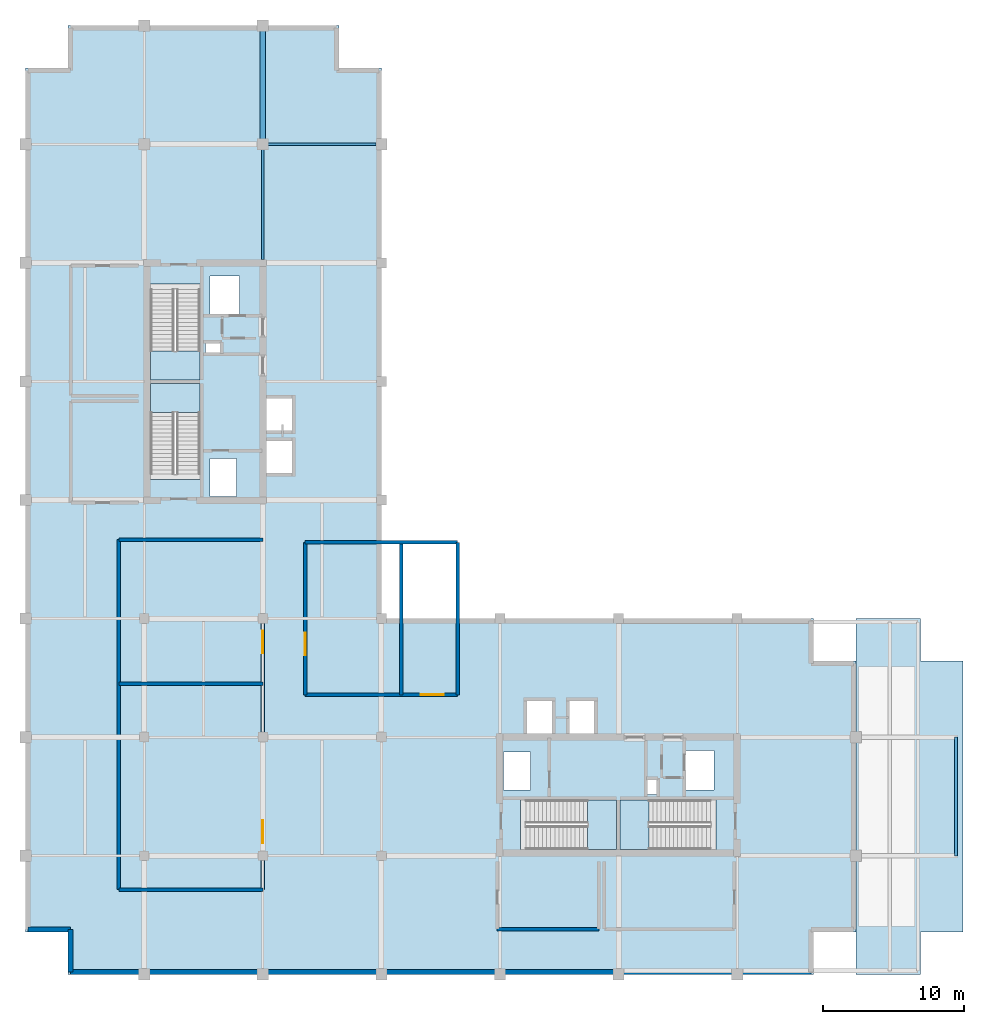
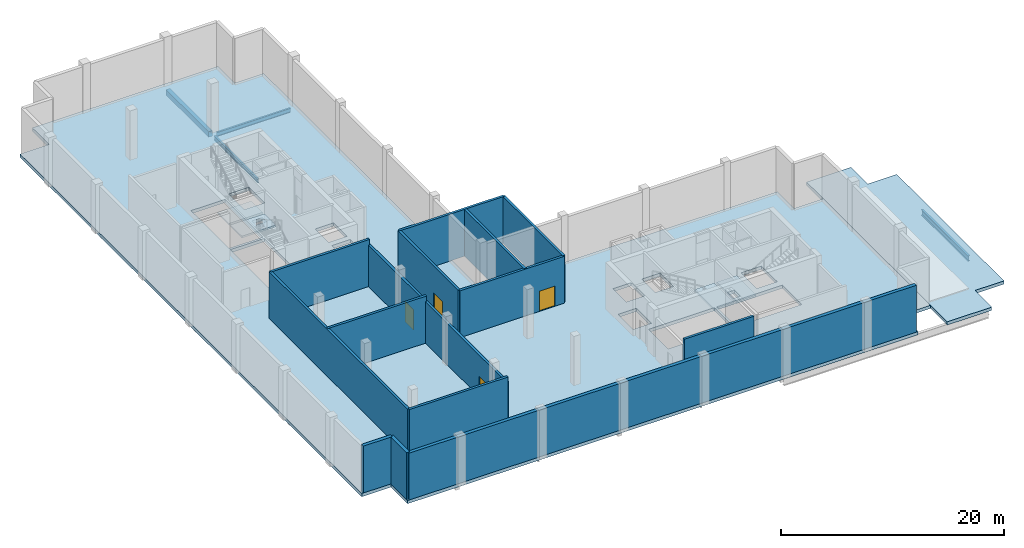
# One storey, part 2 of 7: 14 walls, 6 slabs, 4 beams, 4 doors, 4 openings, 4 elements without a shape of their own.
"""IFC4 building model written with IfcOpenShell, lengths in metres."""

from ifc_helpers import new_model, si_unit, direction, frame, frame_2d, origin, origin_2d, place, context, subcontext, project, spatial, polyline, rectangle, i_section, outline, extrude, material, layer, layer_set, material_profile, profile_set, type_object, element, fill, aggregate, save


model = new_model("IFC4")

# Units and contexts
model_context = context("Model", 3, precision=1e-05, world=origin(), true_north=direction((0.0, 1.0)))
body_context = subcontext(model_context, "Body", "Model", "MODEL_VIEW")
ifc_project = project(units=[si_unit("LENGTHUNIT", "METRE"), si_unit("AREAUNIT", "SQUARE_METRE"), si_unit("VOLUMEUNIT", "CUBIC_METRE"), si_unit("PLANEANGLEUNIT", "RADIAN"), si_unit("MASSUNIT", "GRAM", prefix="KILO")], contexts=[model_context])

# Site, building, storey
site_placement = place(None, origin())
site = spatial("IfcSite", under=ifc_project, at=site_placement, CompositionType="ELEMENT")
building_placement = place(site_placement, origin())
building = spatial("IfcBuilding", under=site, at=building_placement, Name="Koriwani Terraces Tower", CompositionType="ELEMENT")
storey_placement = place(building_placement, frame((0.0, 0.0, 368.60009765625)))
storey = spatial("IfcBuildingStorey", under=building, at=storey_placement, Name="L91", CompositionType="ELEMENT", Elevation=368.60009765625)

# Beams
ifc_material_1 = material(Name="Concrete C40/50", Category="concrete")
ifc_material_profile_1 = material_profile(ifc_material_1, rectangle(XDim=0.39990234375, YDim=0.60009765625, at=origin_2d()), Name="Concrete C40/50", Category="LoadBearing")
ifc_profile_set_1 = profile_set([ifc_material_profile_1], Name="Concrete C40/50")
beam_type_1 = type_object("IfcBeamType", Name="BEAM_RC_GRID_400X600", PredefinedType="BEAM", material=ifc_profile_set_1)
beam_1_placement = place(storey_placement, frame((25.199951171875, 67.580078125, -0.650146484375), z_axis=(0.0, 1.0, 0.0), x_axis=(-1.0, 0.0, 0.0)))
element("IfcBeam", 1, at=beam_1_placement, inside=storey, type_object=beam_type_1, Name="L91 Grid Beam 4 (67.2-75.6m)", PredefinedType="BEAM", context=body_context, shape_type="SweptSolid", body=[
    extrude(rectangle(XDim=0.39990234375, YDim=0.60009765625, at=origin_2d()), origin(), (0.0, 0.0, 1.0), 7.639892578125),
])
ifc_material_2 = material(Name="Steel ASTM A572 Grade 50", Category="steel")
ifc_material_profile_2 = material_profile(ifc_material_2, i_section(OverallWidth=0.19189453125, OverallDepth=0.462890625, WebThickness=0.010498046875, FlangeThickness=0.01611328125, at=origin_2d()), Name="Steel ASTM A572 Grade 50", Category="LoadBearing")
ifc_profile_set_2 = profile_set([ifc_material_profile_2], Name="Steel ASTM A572 Grade 50")
beam_type_2 = type_object("IfcBeamType", Name="STEEL_BEAM_W460X89", PredefinedType="BEAM", material=ifc_profile_set_2)
beam_2_placement = place(storey_placement, frame((25.580078125, 67.199951171875, -0.58154296875), z_axis=(1.0, 0.0, 0.0), x_axis=(0.0, 1.0, 0.0)))
element("IfcBeam", 2, at=beam_2_placement, inside=storey, type_object=beam_type_2, Name="L91 Grid Beam I (25.2-33.6m)", PredefinedType="BEAM", context=body_context, shape_type="SweptSolid", body=[
    extrude(i_section(OverallWidth=0.19189453125, OverallDepth=0.462890625, WebThickness=0.010498046875, FlangeThickness=0.01611328125, at=origin_2d()), origin(), (0.0, 0.0, 1.0), 7.639892578125),
])
beam_3_placement = place(storey_placement, frame((25.199951171875, 59.030029296875, -0.58154296875), z_axis=(0.0, 1.0, 0.0), x_axis=(-1.0, 0.0, 0.0)))
element("IfcBeam", 3, at=beam_3_placement, inside=storey, type_object=beam_type_2, Name="L91 Grid Beam 4 (58.8-67.2m)", PredefinedType="BEAM", context=body_context, shape_type="SweptSolid", body=[
    extrude(i_section(OverallWidth=0.19189453125, OverallDepth=0.462890625, WebThickness=0.010498046875, FlangeThickness=0.01611328125, at=origin_2d()), origin(), (0.0, 0.0, 1.0), 7.7900390625),
])
ifc_material_profile_3 = material_profile(ifc_material_2, i_section(OverallWidth=0.22900390625, OverallDepth=0.611083984375, WebThickness=0.0126953125, FlangeThickness=0.022216796875, at=origin_2d()), Name="Steel ASTM A572 Grade 50", Category="LoadBearing")
ifc_profile_set_3 = profile_set([ifc_material_profile_3], Name="Steel ASTM A572 Grade 50")
beam_type_3 = type_object("IfcBeamType", Name="STEEL_BEAM_W610X155", PredefinedType="BEAM", material=ifc_profile_set_3)
beam_4_placement = place(storey_placement, frame((74.300048828125, 16.800048828125, -0.655517578125), z_axis=(0.0, 1.0, 0.0), x_axis=(-1.0, 0.0, 0.0)))
element("IfcBeam", 4, at=beam_4_placement, inside=storey, type_object=beam_type_3, Name="L90 Sky-Lounge Cantilever Transverse Roof Beam X=74.3m", PredefinedType="BEAM", context=body_context, shape_type="SweptSolid", body=[
    extrude(i_section(OverallWidth=0.22900390625, OverallDepth=0.611083984375, WebThickness=0.0126953125, FlangeThickness=0.022216796875, at=origin_2d()), origin(), (0.0, 0.0, 1.0), 8.39990234375),
])

# Slabs
ifc_material_3 = material(Name="Concrete C50/60", Category="concrete")
ifc_layer_1 = layer(ifc_material_3, 0.35009765625, Name="Concrete C50/60")
ifc_layer_set_1 = layer_set([ifc_layer_1], Name="Concrete C50/60")
slab_type_1 = type_object("IfcSlabType", Name="SLAB_PODIUM_350", PredefinedType="FLOOR", material=ifc_layer_set_1)
slab_1_placement = place(storey_placement, frame((0.0, 0.0, -0.35009765625)))
element("IfcSlab", 5, at=slab_1_placement, inside=storey, type_object=slab_type_1, Name="L91 Structural Floor Slab", PredefinedType="FLOOR", context=body_context, shape_type="SweptSolid", body=[
    extrude(outline(polyline([(11.39990234375, 8.39990234375), (64.199951171875, 8.39990234375), (64.199951171875, 11.39990234375), (67.199951171875, 11.39990234375), (67.199951171875, 30.60009765625), (64.199951171875, 30.60009765625), (64.199951171875, 33.60009765625), (33.60009765625, 33.60009765625), (33.60009765625, 72.60009765625), (30.60009765625, 72.60009765625), (30.60009765625, 75.60009765625), (11.39990234375, 75.60009765625), (11.39990234375, 72.60009765625), (8.39990234375, 72.60009765625), (8.39990234375, 11.39990234375), (11.39990234375, 11.39990234375), (11.39990234375, 8.39990234375)]), holes=[polyline([(17.25, 43.4599609375), (20.75, 43.4599609375), (20.75, 50.25), (17.25, 50.25), (17.25, 43.4599609375)]), polyline([(17.25, 50.5), (20.75, 50.5), (20.75, 57.2900390625), (17.25, 57.2900390625), (17.25, 50.5)]), polyline([(43.4599609375, 17.25), (50.25, 17.25), (50.25, 20.75), (43.4599609375, 20.75), (43.4599609375, 17.25)]), polyline([(50.5, 17.25), (57.2900390625, 17.25), (57.2900390625, 20.75), (50.5, 20.75), (50.5, 17.25)]), polyline([(25.449951171875, 43.85009765625), (27.35009765625, 43.85009765625), (27.35009765625, 46.25), (25.449951171875, 46.25), (25.449951171875, 43.85009765625)]), polyline([(25.449951171875, 46.85009765625), (27.35009765625, 46.85009765625), (27.35009765625, 49.25), (25.449951171875, 49.25), (25.449951171875, 46.85009765625)]), polyline([(43.85009765625, 25.449951171875), (45.75, 25.449951171875), (45.75, 27.85009765625), (43.85009765625, 27.85009765625), (43.85009765625, 25.449951171875)]), polyline([(46.85009765625, 25.449951171875), (48.75, 25.449951171875), (48.75, 27.85009765625), (46.85009765625, 27.85009765625), (46.85009765625, 25.449951171875)]), polyline([(21.449951171875, 55.050048828125), (23.550048828125, 55.050048828125), (23.550048828125, 57.85009765625), (21.449951171875, 57.85009765625), (21.449951171875, 55.050048828125)]), polyline([(55.050048828125, 21.449951171875), (57.14990234375, 21.449951171875), (57.14990234375, 24.25), (55.050048828125, 24.25), (55.050048828125, 21.449951171875)]), polyline([(21.449951171875, 42.25), (23.35009765625, 42.25), (23.35009765625, 44.949951171875), (21.449951171875, 44.949951171875), (21.449951171875, 42.25)]), polyline([(42.25, 21.449951171875), (44.14990234375, 21.449951171875), (44.14990234375, 24.14990234375), (42.25, 24.14990234375), (42.25, 21.449951171875)]), polyline([(21.14990234375, 52.419921875), (22.219970703125, 52.419921875), (22.219970703125, 53.179931640625), (21.14990234375, 53.179931640625), (21.14990234375, 52.419921875)]), polyline([(52.419921875, 21.14990234375), (53.179931640625, 21.14990234375), (53.179931640625, 22.219970703125), (52.419921875, 22.219970703125), (52.419921875, 21.14990234375)])]), origin(), (0.0, 0.0, 1.0), 0.35009765625),
])
slab_2_placement = place(storey_placement, frame((0.0, 0.0, -0.35009765625)))
element("IfcSlab", 6, at=slab_2_placement, inside=storey, type_object=slab_type_1, Name="L90 Cantilevered Sky Lounge Flat Roof Slab", PredefinedType="FLOOR", context=body_context, shape_type="SweptSolid", body=[
    extrude(outline(polyline([(67.199951171875, 8.39990234375), (71.800048828125, 8.39990234375), (71.800048828125, 11.39990234375), (74.800048828125, 11.39990234375), (74.800048828125, 30.60009765625), (71.800048828125, 30.60009765625), (71.800048828125, 33.60009765625), (67.199951171875, 33.60009765625), (67.199951171875, 8.39990234375)])), origin(), (0.0, 0.0, 1.0), 0.35009765625),
])

# Stair, slab
stair_type = type_object("IfcStairType", Name="STAIR_CORE_DOGLEG_1650", PredefinedType="TWO_STRAIGHT_RUN_STAIR", material=ifc_material_1)
stair_1_placement = place(storey_placement, origin())
stair_1 = element("IfcStair", 7, at=stair_1_placement, inside=storey, type_object=stair_type, Name="L91 West Core Exit Stair 1", PredefinedType="HALF_TURN_STAIR")
ifc_layer_2 = layer(ifc_material_1, 0.199951171875, Name="Concrete C40/50")
ifc_layer_set_2 = layer_set([ifc_layer_2], Name="Concrete C40/50")
slab_type_2 = type_object("IfcSlabType", Name="SLAB_STAIR_LANDING_200", PredefinedType="LANDING", material=ifc_layer_set_2)
slab_3_placement = place(storey_placement, frame((0.0, 0.0, 2.5)))
slab_3 = element("IfcSlab", 8, at=slab_3_placement, type_object=slab_type_2, Name="ST-W1 landing 1", PredefinedType="LANDING", context=body_context, shape_type="SweptSolid", body=[
    extrude(outline(polyline([(20.75, 48.199951171875), (20.75, 50.25), (17.25, 50.25), (17.25, 48.199951171875), (20.75, 48.199951171875)])), origin(), (0.0, 0.0, 1.0), 0.199951171875),
])
aggregate(stair_1, [slab_3])

stair_2_placement = place(storey_placement, origin())
stair_2 = element("IfcStair", 9, at=stair_2_placement, inside=storey, type_object=stair_type, Name="L91 West Core Exit Stair 2", PredefinedType="HALF_TURN_STAIR")
slab_4_placement = place(storey_placement, frame((0.0, 0.0, 2.5)))
slab_4 = element("IfcSlab", 10, at=slab_4_placement, type_object=slab_type_2, Name="ST-W2 landing 1", PredefinedType="LANDING", context=body_context, shape_type="SweptSolid", body=[
    extrude(outline(polyline([(17.25, 52.550048828125), (17.25, 50.5), (20.75, 50.5), (20.75, 52.550048828125), (17.25, 52.550048828125)])), origin(), (0.0, 0.0, 1.0), 0.199951171875),
])
aggregate(stair_2, [slab_4])

stair_3_placement = place(storey_placement, origin())
stair_3 = element("IfcStair", 11, at=stair_3_placement, inside=storey, type_object=stair_type, Name="L91 East Core Exit Stair 1", PredefinedType="HALF_TURN_STAIR")
slab_5_placement = place(storey_placement, frame((0.0, 0.0, 2.5)))
slab_5 = element("IfcSlab", 12, at=slab_5_placement, type_object=slab_type_2, Name="ST-E1 landing 1", PredefinedType="LANDING", context=body_context, shape_type="SweptSolid", body=[
    extrude(outline(polyline([(48.199951171875, 17.25), (50.25, 17.25), (50.25, 20.75), (48.199951171875, 20.75), (48.199951171875, 17.25)])), origin(), (0.0, 0.0, 1.0), 0.199951171875),
])
aggregate(stair_3, [slab_5])

stair_4_placement = place(storey_placement, origin())
stair_4 = element("IfcStair", 13, at=stair_4_placement, inside=storey, type_object=stair_type, Name="L91 East Core Exit Stair 2", PredefinedType="HALF_TURN_STAIR")
slab_6_placement = place(storey_placement, frame((0.0, 0.0, 2.5)))
slab_6 = element("IfcSlab", 14, at=slab_6_placement, type_object=slab_type_2, Name="ST-E2 landing 1", PredefinedType="LANDING", context=body_context, shape_type="SweptSolid", body=[
    extrude(outline(polyline([(52.550048828125, 20.75), (50.5, 20.75), (50.5, 17.25), (52.550048828125, 17.25), (52.550048828125, 20.75)])), origin(), (0.0, 0.0, 1.0), 0.199951171875),
])
aggregate(stair_4, [slab_6])

# Walls
ifc_layer_3 = layer(ifc_material_3, 0.35009765625, Name="Concrete C50/60")
ifc_layer_set_3 = layer_set([ifc_layer_3], Name="Concrete C50/60")
wall_type_1 = type_object("IfcWallType", Name="WALL_EXT_BRUTALIST_350", PredefinedType="STANDARD", material=ifc_layer_set_3)
for number, where, z_axis, x_axis, name in (
    (15, (11.574951171875, 8.574951171875, 0.0), (0.0, 0.0, 1.0), (0.0, 1.0, 0.0), "L91 Fair-Faced Brutalist Exterior Wall (N0)"),
    (16, (11.574951171875, 11.574951171875, 0.0), (0.0, 0.0, 1.0), (-1.0, 0.0, 0.0), "L91 Fair-Faced Brutalist Exterior Wall (N1)"),
):
    element("IfcWall", number, at=place(storey_placement, frame(where, z_axis=z_axis, x_axis=x_axis)), inside=storey, type_object=wall_type_1, Name=name, PredefinedType="STANDARD", context=body_context, shape_type="SweptSolid", body=[
        extrude(rectangle(XDim=3.0, YDim=0.35009765625, at=frame_2d((1.5, 0.0))), origin(), (0.0, 0.0, 1.0), 5.119873046875),
    ])
wall_1_placement = place(storey_placement, frame((64.02490234375, 8.574951171875, 0.0), z_axis=(0.0, 0.0, 1.0), x_axis=(-1.0, 0.0, 0.0)))
element("IfcWall", 17, at=wall_1_placement, inside=storey, type_object=wall_type_1, Name="L91 Fair-Faced Brutalist Exterior Wall (S)", PredefinedType="STANDARD", context=body_context, shape_type="SweptSolid", body=[
    extrude(rectangle(XDim=52.449951171875, YDim=0.35009765625, at=frame_2d((26.22509765625, 0.0))), origin(), (0.0, 0.0, 1.0), 5.119873046875),
])

# Wall, openings, doors
ifc_layer_4 = layer(ifc_material_1, 0.25, Name="Concrete C40/50")
ifc_layer_set_4 = layer_set([ifc_layer_4], Name="Concrete C40/50")
wall_type_2 = type_object("IfcWallType", Name="WALL_SHAFT_RATED_250", PredefinedType="SOLIDWALL", material=ifc_layer_set_4)
wall_2_placement = place(storey_placement, frame((25.199951171875, 14.39990234375, 0.0), z_axis=(0.0, 0.0, 1.0), x_axis=(0.0, 1.0, 0.0)))
wall_2 = element("IfcWall", 18, at=wall_2_placement, inside=storey, type_object=wall_type_2, Name="L91 Interior Wall WPL-L91-E", PredefinedType="SOLIDWALL", context=body_context, shape_type="SweptSolid", body=[
    extrude(rectangle(XDim=24.800048828125, YDim=0.25, at=frame_2d((12.39990234375, 0.0))), origin(), (0.0, 0.0, 1.0), 4.52001953125),
])
opening_1_placement = place(wall_2_placement, frame((3.300048828125, 0.0, 0.0)))
opening_1 = element("IfcOpeningElement", 19, at=opening_1_placement, cuts=wall_2, Name="Opening D-08", PredefinedType="OPENING", context=body_context, shape_type="SweptSolid", body=[
    extrude(rectangle(XDim=1.60009765625, YDim=2.199951171875, at=frame_2d((0.800048828125, 1.10009765625))), frame((0.0, 0.135009765625, 0.0), z_axis=(0.0, -1.0, 0.0), x_axis=(1.0, 0.0, 0.0)), (0.0, 0.0, 1.0), 0.27001953125),
])
opening_2_placement = place(wall_2_placement, frame((16.75, 0.0, 0.0)))
opening_2 = element("IfcOpeningElement", 20, at=opening_2_placement, cuts=wall_2, Name="Opening D-08", PredefinedType="OPENING", context=body_context, shape_type="SweptSolid", body=[
    extrude(rectangle(XDim=1.60009765625, YDim=2.199951171875, at=frame_2d((0.800048828125, 1.10009765625))), frame((0.0, 0.135009765625, 0.0), z_axis=(0.0, -1.0, 0.0), x_axis=(1.0, 0.0, 0.0)), (0.0, 0.0, 1.0), 0.27001953125),
])
door_type = type_object("IfcDoorType", Name="DOOR_PLANT_DOUBLE_1600X2200", OperationType="NOTDEFINED", PredefinedType="DOOR", material=ifc_material_2)
door_1_placement = place(opening_1_placement, origin())
door_1 = element("IfcDoor", 21, at=door_1_placement, inside=storey, type_object=door_type, Name="L91 Chiller Plant Room Door", OperationType="SINGLE_SWING_LEFT", OverallHeight=2.199951171875, OverallWidth=1.60009765625, PredefinedType="DOOR", context=body_context, shape_type="SweptSolid", body=[
    extrude(rectangle(XDim=1.60009765625, YDim=2.199951171875, at=frame_2d((0.800048828125, 1.10009765625))), frame((0.0, 0.02490234375, 0.0), z_axis=(0.0, -1.0, 0.0), x_axis=(1.0, 0.0, 0.0)), (0.0, 0.0, 1.0), 0.050048828125),
])
fill(opening_1, door_1)
door_2_placement = place(opening_2_placement, origin())
door_2 = element("IfcDoor", 22, at=door_2_placement, inside=storey, type_object=door_type, Name="L91 AHU Fan Room Door", OperationType="SINGLE_SWING_RIGHT", OverallHeight=2.199951171875, OverallWidth=1.60009765625, PredefinedType="DOOR", context=body_context, shape_type="SweptSolid", body=[
    extrude(rectangle(XDim=1.60009765625, YDim=2.199951171875, at=frame_2d((0.800048828125, 1.10009765625))), frame((0.0, 0.02490234375, 0.0), z_axis=(0.0, -1.0, 0.0), x_axis=(1.0, 0.0, 0.0)), (0.0, 0.0, 1.0), 0.050048828125),
])
fill(opening_2, door_2)

# Walls
wall_3_placement = place(storey_placement, frame((15.0, 14.39990234375, 0.0), z_axis=(0.0, 0.0, 1.0), x_axis=(0.0, 1.0, 0.0)))
element("IfcWall", 23, at=wall_3_placement, inside=storey, type_object=wall_type_2, Name="L91 Interior Wall WPL-L91-W", PredefinedType="SOLIDWALL", context=body_context, shape_type="SweptSolid", body=[
    extrude(rectangle(XDim=24.800048828125, YDim=0.25, at=frame_2d((12.39990234375, 0.0))), origin(), (0.0, 0.0, 1.0), 5.119873046875),
])
for number, where, z_axis, x_axis, name in (
    (24, (15.0, 14.39990234375, 0.0), (0.0, 0.0, 1.0), (1.0, 0.0, 0.0), "L91 Interior Wall WPL-L91-S"),
    (25, (15.0, 39.199951171875, 0.0), (0.0, 0.0, 1.0), (1.0, 0.0, 0.0), "L91 Interior Wall WPL-L91-N"),
    (26, (15.0, 29.0, 0.0), (0.0, 0.0, 1.0), (1.0, 0.0, 0.0), "L91 Interior Wall WPL-L91-M"),
):
    element("IfcWall", number, at=place(storey_placement, frame(where, z_axis=z_axis, x_axis=x_axis)), inside=storey, type_object=wall_type_2, Name=name, PredefinedType="SOLIDWALL", context=body_context, shape_type="SweptSolid", body=[
        extrude(rectangle(XDim=10.199951171875, YDim=0.25, at=frame_2d((5.10009765625, 0.0))), origin(), (0.0, 0.0, 1.0), 5.119873046875),
    ])

# Wall, opening, door
wall_4_placement = place(storey_placement, frame((28.199951171875, 28.199951171875, 0.0), z_axis=(0.0, 0.0, 1.0), x_axis=(0.0, 1.0, 0.0)))
wall_4 = element("IfcWall", 27, at=wall_4_placement, inside=storey, type_object=wall_type_2, Name="L91 Interior Wall WPL2-L91-W", PredefinedType="SOLIDWALL", context=body_context, shape_type="SweptSolid", body=[
    extrude(rectangle(XDim=10.800048828125, YDim=0.25, at=frame_2d((5.39990234375, 0.0))), origin(), (0.0, 0.0, 1.0), 5.119873046875),
])
opening_3_placement = place(wall_4_placement, frame((2.800048828125, 0.0, 0.0)))
opening_3 = element("IfcOpeningElement", 28, at=opening_3_placement, cuts=wall_4, Name="Opening D-08", PredefinedType="OPENING", context=body_context, shape_type="SweptSolid", body=[
    extrude(rectangle(XDim=1.60009765625, YDim=2.199951171875, at=frame_2d((0.800048828125, 1.10009765625))), frame((0.0, 0.135009765625, 0.0), z_axis=(0.0, -1.0, 0.0), x_axis=(1.0, 0.0, 0.0)), (0.0, 0.0, 1.0), 0.27001953125),
])
door_3_placement = place(opening_3_placement, origin())
door_3 = element("IfcDoor", 29, at=door_3_placement, inside=storey, type_object=door_type, Name="L91 Booster Pump and Tank Room Door", OperationType="SINGLE_SWING_LEFT", OverallHeight=2.199951171875, OverallWidth=1.60009765625, PredefinedType="DOOR", context=body_context, shape_type="SweptSolid", body=[
    extrude(rectangle(XDim=1.60009765625, YDim=2.199951171875, at=frame_2d((0.800048828125, 1.10009765625))), frame((0.0, 0.02490234375, 0.0), z_axis=(0.0, -1.0, 0.0), x_axis=(1.0, 0.0, 0.0)), (0.0, 0.0, 1.0), 0.050048828125),
])
fill(opening_3, door_3)

wall_5_placement = place(storey_placement, frame((28.199951171875, 28.199951171875, 0.0), z_axis=(0.0, 0.0, 1.0), x_axis=(1.0, 0.0, 0.0)))
wall_5 = element("IfcWall", 30, at=wall_5_placement, inside=storey, type_object=wall_type_2, Name="L91 Interior Wall WPL2-L91-S", PredefinedType="SOLIDWALL", context=body_context, shape_type="SweptSolid", body=[
    extrude(rectangle(XDim=10.800048828125, YDim=0.25, at=frame_2d((5.39990234375, 0.0))), origin(), (0.0, 0.0, 1.0), 5.119873046875),
])
opening_4_placement = place(wall_5_placement, frame((8.199951171875, 0.0, 0.0)))
opening_4 = element("IfcOpeningElement", 31, at=opening_4_placement, cuts=wall_5, Name="Opening D-08", PredefinedType="OPENING", context=body_context, shape_type="SweptSolid", body=[
    extrude(rectangle(XDim=1.60009765625, YDim=2.199951171875, at=frame_2d((0.800048828125, 1.10009765625))), frame((0.0, 0.135009765625, 0.0), z_axis=(0.0, -1.0, 0.0), x_axis=(1.0, 0.0, 0.0)), (0.0, 0.0, 1.0), 0.27001953125),
])
door_4_placement = place(opening_4_placement, origin())
door_4 = element("IfcDoor", 32, at=door_4_placement, inside=storey, type_object=door_type, Name="L91 Electrical Transformer Room Door", OperationType="SINGLE_SWING_RIGHT", OverallHeight=2.199951171875, OverallWidth=1.60009765625, PredefinedType="DOOR", context=body_context, shape_type="SweptSolid", body=[
    extrude(rectangle(XDim=1.60009765625, YDim=2.199951171875, at=frame_2d((0.800048828125, 1.10009765625))), frame((0.0, 0.02490234375, 0.0), z_axis=(0.0, -1.0, 0.0), x_axis=(1.0, 0.0, 0.0)), (0.0, 0.0, 1.0), 0.050048828125),
])
fill(opening_4, door_4)

# Walls
for number, where, z_axis, x_axis, name in (
    (33, (39.0, 28.199951171875, 0.0), (0.0, 0.0, 1.0), (0.0, 1.0, 0.0), "L91 Interior Wall WPL2-L91-E"),
    (34, (28.199951171875, 39.0, 0.0), (0.0, 0.0, 1.0), (1.0, 0.0, 0.0), "L91 Interior Wall WPL2-L91-N"),
    (35, (35.0, 28.199951171875, 0.0), (0.0, 0.0, 1.0), (0.0, 1.0, 0.0), "L91 Interior Wall WPL2-L91-M"),
):
    element("IfcWall", number, at=place(storey_placement, frame(where, z_axis=z_axis, x_axis=x_axis)), inside=storey, type_object=wall_type_2, Name=name, PredefinedType="SOLIDWALL", context=body_context, shape_type="SweptSolid", body=[
        extrude(rectangle(XDim=10.800048828125, YDim=0.25, at=frame_2d((5.39990234375, 0.0))), origin(), (0.0, 0.0, 1.0), 5.119873046875),
    ])
wall_6_placement = place(storey_placement, frame((41.800048828125, 11.60009765625, 0.0), z_axis=(0.0, 0.0, 1.0), x_axis=(1.0, 0.0, 0.0)))
element("IfcWall", 36, at=wall_6_placement, inside=storey, type_object=wall_type_2, Name="L91 Interior Wall WPL-RECE2-L91", PredefinedType="SOLIDWALL", context=body_context, shape_type="SweptSolid", body=[
    extrude(rectangle(XDim=7.199951171875, YDim=0.25, at=frame_2d((3.60009765625, 0.0))), origin(), (0.0, 0.0, 1.0), 5.119873046875),
])

save(model, "model.ifc")
